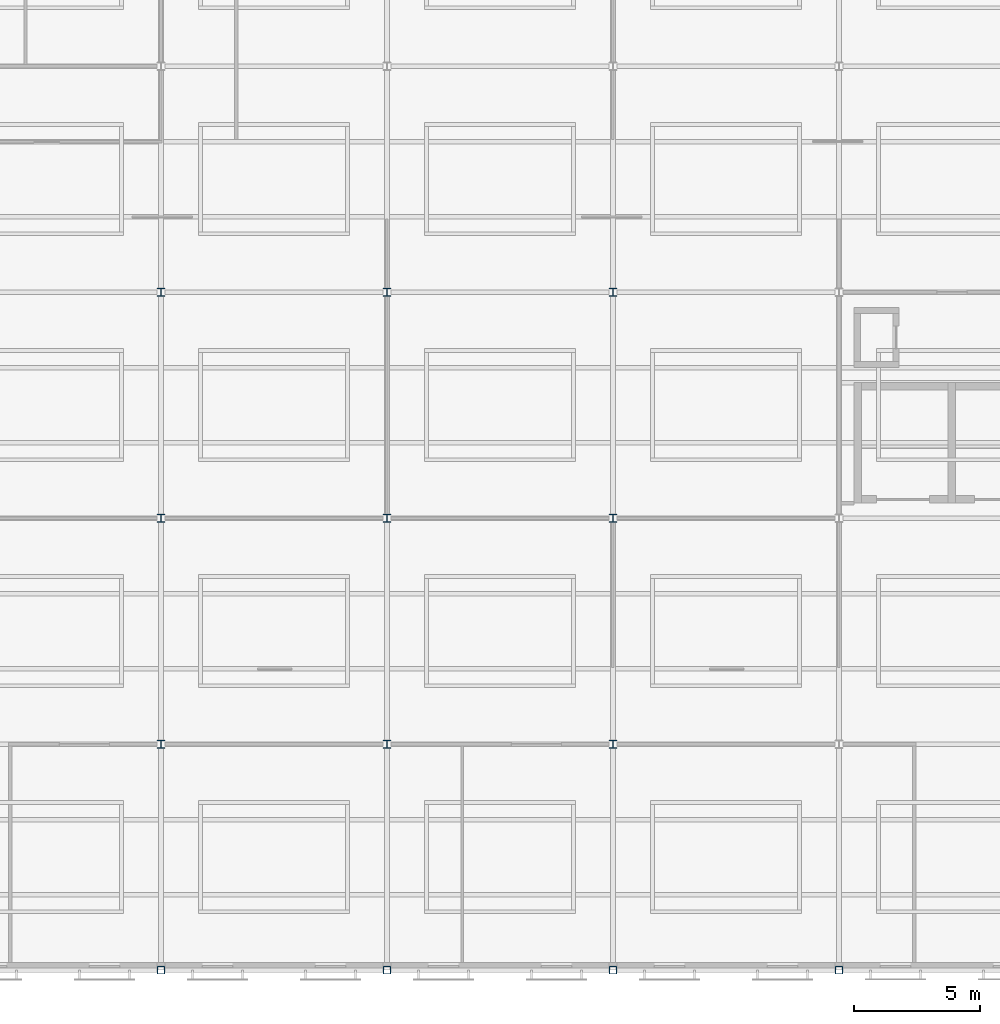
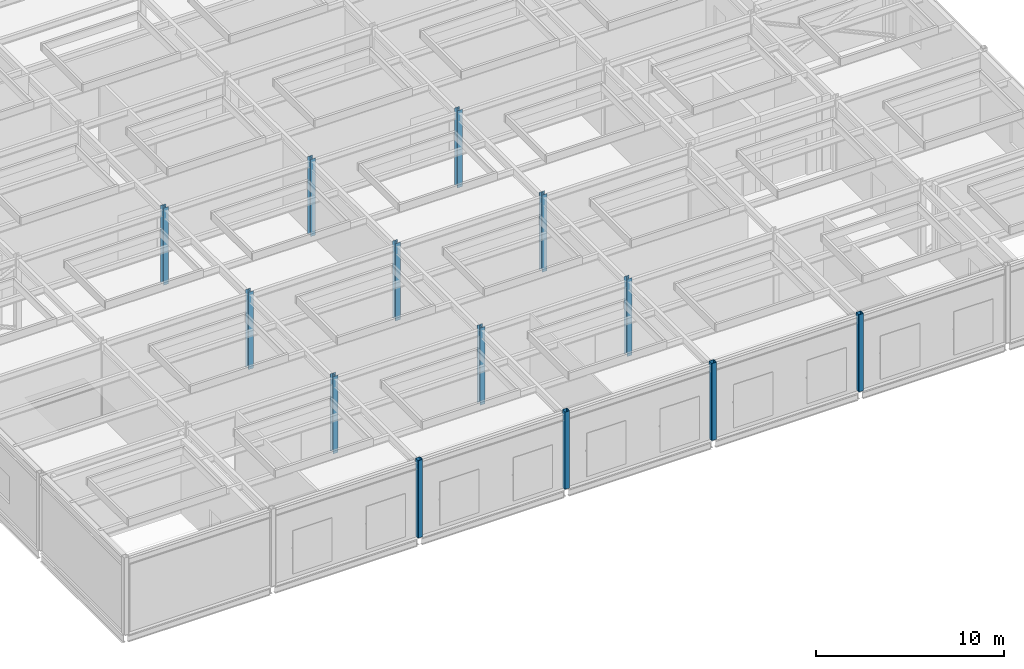
# One storey, part 4 of 115: 13 columns.
"""IFC4 building model written with IfcOpenShell, lengths in metres."""

from ifc_helpers import new_model, si_unit, direction, frame, origin, origin_2d, place, context, subcontext, project, spatial, hollow_rectangle, i_section, extrude, material, material_profile, profile_set, type_object, element, save


model = new_model("IFC4")

# Units and contexts
model_context = context("Model", 3, precision=1e-05, world=origin(), true_north=direction((0.0, 1.0)))
body_context = subcontext(model_context, "Body", "Model", "MODEL_VIEW")
ifc_project = project(units=[si_unit("LENGTHUNIT", "METRE"), si_unit("AREAUNIT", "SQUARE_METRE"), si_unit("VOLUMEUNIT", "CUBIC_METRE"), si_unit("PLANEANGLEUNIT", "RADIAN"), si_unit("MASSUNIT", "GRAM", prefix="KILO")], contexts=[model_context])

# Site, building, storey
site_placement = place(None, origin())
site = spatial("IfcSite", under=ifc_project, at=site_placement, CompositionType="ELEMENT")
building_placement = place(site_placement, origin())
building = spatial("IfcBuilding", under=site, at=building_placement, Name="Shorebreak Coast Museum", CompositionType="ELEMENT")
storey_placement = place(building_placement, frame((0.0, 0.0, 11.0)))
storey = spatial("IfcBuildingStorey", under=building, at=storey_placement, Name="L02", CompositionType="ELEMENT", Elevation=11.0)

# Columns
ifc_material_1 = material(Name="Steel Grade C450L0", Category="steel")
ifc_material_profile_1 = material_profile(ifc_material_1, hollow_rectangle(XDim=0.300048828125, YDim=0.300048828125, WallThickness=0.012451171875, InnerFilletRadius=0.018798828125, OuterFilletRadius=0.03125, at=origin_2d()), Name="300x300x12.5 SHS")
ifc_profile_set_1 = profile_set([ifc_material_profile_1], Name="Steel Grade C450L0")
column_type_1 = type_object("IfcColumnType", Name="Column 300x300x12.5 SHS", PredefinedType="COLUMN", material=ifc_profile_set_1)
for number, where, z_axis, x_axis, name in (
    (1, (72.0, 0.0, 0.0), (0.0, 0.0, 1.0), (1.0, 0.0, 0.0), "Column L02 9A"),
    (2, (81.0, 0.0, 0.0), (0.0, 0.0, 1.0), (1.0, 0.0, 0.0), "Column L02 10A"),
    (3, (90.0, 0.0, 0.0), (0.0, 0.0, 1.0), (1.0, 0.0, 0.0), "Column L02 11A"),
    (4, (99.0, 0.0, 0.0), (0.0, 0.0, 1.0), (1.0, 0.0, 0.0), "Column L02 12A"),
):
    element("IfcColumn", number, at=place(storey_placement, frame(where, z_axis=z_axis, x_axis=x_axis)), inside=storey, type_object=column_type_1, Name=name, PredefinedType="COLUMN", context=body_context, shape_type="SweptSolid", body=[
        extrude(hollow_rectangle(XDim=0.300048828125, YDim=0.300048828125, WallThickness=0.012451171875, InnerFilletRadius=0.018798828125, OuterFilletRadius=0.03125, at=origin_2d()), origin(), (0.0, 0.0, 1.0), 5.0),
    ])
ifc_material_2 = material(Name="Steel Grade 300", Category="steel")
ifc_material_profile_2 = material_profile(ifc_material_2, i_section(OverallWidth=0.306884765625, OverallDepth=0.314697265625, WebThickness=0.011962890625, FlangeThickness=0.018798828125, FilletRadius=0.0166015625, at=origin_2d()), Name="310UC118")
ifc_profile_set_2 = profile_set([ifc_material_profile_2], Name="Steel Grade 300")
column_type_2 = type_object("IfcColumnType", Name="Column 310UC118", PredefinedType="COLUMN", material=ifc_profile_set_2)
for number, where, z_axis, x_axis, name in (
    (5, (72.0, 9.0, 0.0), (0.0, 0.0, 1.0), (1.0, 0.0, 0.0), "Column L02 9B"),
    (6, (81.0, 9.0, 0.0), (0.0, 0.0, 1.0), (1.0, 0.0, 0.0), "Column L02 10B"),
    (7, (90.0, 9.0, 0.0), (0.0, 0.0, 1.0), (1.0, 0.0, 0.0), "Column L02 11B"),
    (8, (72.0, 18.0, 0.0), (0.0, 0.0, 1.0), (1.0, 0.0, 0.0), "Column L02 9C"),
    (9, (81.0, 18.0, 0.0), (0.0, 0.0, 1.0), (1.0, 0.0, 0.0), "Column L02 10C"),
    (10, (90.0, 18.0, 0.0), (0.0, 0.0, 1.0), (1.0, 0.0, 0.0), "Column L02 11C"),
    (11, (72.0, 27.0, 0.0), (0.0, 0.0, 1.0), (1.0, 0.0, 0.0), "Column L02 9D"),
    (12, (81.0, 27.0, 0.0), (0.0, 0.0, 1.0), (1.0, 0.0, 0.0), "Column L02 10D"),
    (13, (90.0, 27.0, 0.0), (0.0, 0.0, 1.0), (1.0, 0.0, 0.0), "Column L02 11D"),
):
    element("IfcColumn", number, at=place(storey_placement, frame(where, z_axis=z_axis, x_axis=x_axis)), inside=storey, type_object=column_type_2, Name=name, PredefinedType="COLUMN", context=body_context, shape_type="SweptSolid", body=[
        extrude(i_section(OverallWidth=0.306884765625, OverallDepth=0.314697265625, WebThickness=0.011962890625, FlangeThickness=0.018798828125, FilletRadius=0.0166015625, at=origin_2d()), origin(), (0.0, 0.0, 1.0), 5.0),
    ])

save(model, "model.ifc")
